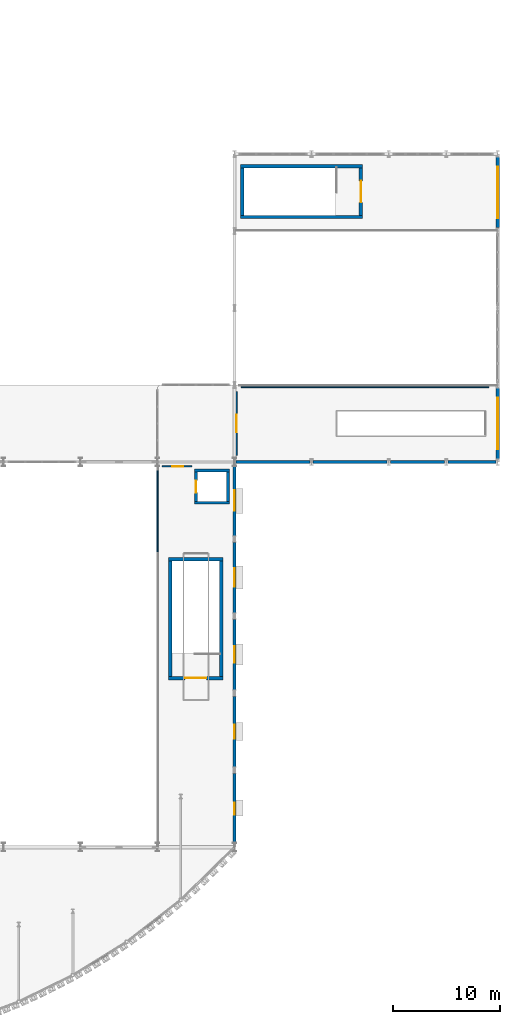
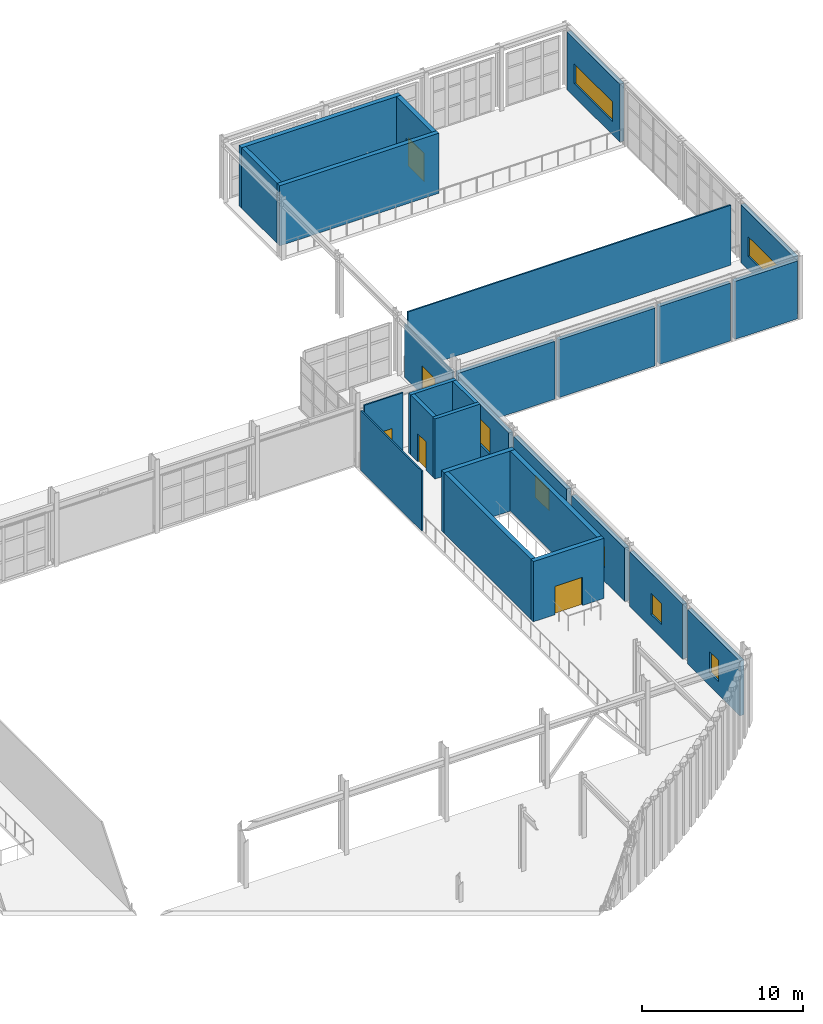
# One storey, part 109 of 126: 27 walls, 7 windows, 5 doors, 12 openings.
"""IFC4 building model written with IfcOpenShell, lengths in metres."""

import ifcopenshell
import ifcopenshell.guid

model = None  # the IFC model being written
_history = None  # IfcOwnerHistory: only IFC2X3 demands one
_inside = {}  # id of a spatial element -> (the spatial element, [elements in it])
_under = {}  # id of a project, library or spatial element -> (it, [spatial elements below it])
_declared = {}  # id of a project -> (the project, [libraries it declares])
_typed = {}  # id of a type object -> (the type object, [elements of that type])
_made_of = {}  # id of a material, layer set ... -> (it, [elements and type objects made of it])


def new_model(schema):
    """Start an empty IFC model of exactly this schema.

    Asked for "IFC4X3", IfcOpenShell would pick the latest addendum, in which some entities
    have other attributes; the version numbers below select the first issue.
    IFC2X3 requires an IfcOwnerHistory on every rooted entity: one is made here for all.
    """
    global model, _history
    if schema == "IFC4X3":
        model = ifcopenshell.file(schema_version=(4, 3, 0, 0))
    else:
        model = ifcopenshell.file(schema=schema)
    _inside.clear()
    _under.clear()
    _declared.clear()
    _typed.clear()
    _made_of.clear()
    _history = None
    if model.schema == "IFC2X3":
        org = make("IfcOrganization", Name="unknown")
        user = make(
            "IfcPersonAndOrganization",
            ThePerson=make("IfcPerson", FamilyName="unknown"),
            TheOrganization=org,
        )
        app = make(
            "IfcApplication",
            ApplicationDeveloper=org,
            Version="unknown",
            ApplicationFullName="unknown",
            ApplicationIdentifier="unknown",
        )
        _history = make(
            "IfcOwnerHistory",
            OwningUser=user,
            OwningApplication=app,
            ChangeAction="ADDED",
            CreationDate=0,
        )
    return model


def make(cls, **values):
    """One entity of the class cls with the attributes given. An attribute that is None is left unset."""
    return model.create_entity(
        cls, **{name: value for name, value in values.items() if value is not None}
    )


def rooted(cls, **values):
    """An entity with a GlobalId (a new one), such as an element, a storey or a relation."""
    return make(cls, GlobalId=ifcopenshell.guid.new(), OwnerHistory=_history, **values)


def si_unit(unit_type, name, prefix=None):
    """IfcSIUnit, for example si_unit("LENGTHUNIT", "METRE", prefix="MILLI")."""
    return make("IfcSIUnit", UnitType=unit_type, Prefix=prefix, Name=name)


def assignment(units):
    """IfcUnitAssignment: the units of a project."""
    return None if units is None else make("IfcUnitAssignment", Units=units)


def point(xyz):
    """IfcCartesianPoint."""
    return None if xyz is None else make("IfcCartesianPoint", Coordinates=xyz)


def direction(xyz):
    """IfcDirection."""
    return None if xyz is None else make("IfcDirection", DirectionRatios=xyz)


def frame(location, z_axis=None, x_axis=None):
    """IfcAxis2Placement3D, a coordinate frame: its origin and axes. An axis left out is left unset."""
    return make(
        "IfcAxis2Placement3D",
        Location=point(location),
        Axis=direction(z_axis),
        RefDirection=direction(x_axis),
    )


def frame_2d(location, x_axis=None):
    """IfcAxis2Placement2D, a coordinate frame in the plane: its origin and x axis."""
    return make(
        "IfcAxis2Placement2D", Location=point(location), RefDirection=direction(x_axis)
    )


def origin():
    """The frame at (0, 0, 0) with its axes left unset."""
    return frame((0.0, 0.0, 0.0))


def place(relative_to, where):
    """IfcLocalPlacement: puts the frame where relative to a parent placement (None: the world)."""
    return make(
        "IfcLocalPlacement", PlacementRelTo=relative_to, RelativePlacement=where
    )


def context(
    kind, dimensions, precision=None, world=None, true_north=None, identifier=None
):
    """IfcGeometricRepresentationContext, for example the 3D "Model" context."""
    return make(
        "IfcGeometricRepresentationContext",
        ContextIdentifier=identifier,
        ContextType=kind,
        CoordinateSpaceDimension=dimensions,
        Precision=precision,
        WorldCoordinateSystem=world,
        TrueNorth=true_north,
    )


def subcontext(parent, identifier, kind, view, scale=None):
    """IfcGeometricRepresentationSubContext, for example "Body" below "Model"."""
    return make(
        "IfcGeometricRepresentationSubContext",
        ContextIdentifier=identifier,
        ContextType=kind,
        ParentContext=parent,
        TargetScale=scale,
        TargetView=view,
    )


def project(units=None, contexts=None):
    """IfcProject with its units and contexts."""
    return rooted(
        "IfcProject",
        Name="project",
        RepresentationContexts=contexts,
        UnitsInContext=assignment(units),
    )


def spatial(cls, under=None, at=None, **own):
    """A site, building, storey or space (cls), placed at a placement, below another one or the project."""
    s = rooted(cls, ObjectPlacement=at, **own)
    if under is not None:
        _under.setdefault(under.id(), (under, []))[1].append(s)
    return s


def profile(cls, at=None, kind="AREA", **sizes):
    """A parametric profile (cls). Its sizes go by their IFC names, for example OverallWidth=200.0."""
    return make(cls, ProfileType=kind, Position=at, **sizes)


def rectangle(**sizes):
    """IfcRectangleProfileDef."""
    return profile("IfcRectangleProfileDef", **sizes)


def extrude(swept, where, along, depth):
    """IfcExtrudedAreaSolid: the profile swept, set in the frame where, extruded along a direction by depth."""
    return make(
        "IfcExtrudedAreaSolid",
        SweptArea=swept,
        Position=where,
        ExtrudedDirection=direction(along),
        Depth=depth,
    )


def shape(context_of_items, identifier, shape_type, items):
    """IfcShapeRepresentation: the items that make up one representation, for example the "Body"."""
    return make(
        "IfcShapeRepresentation",
        ContextOfItems=context_of_items,
        RepresentationIdentifier=identifier,
        RepresentationType=shape_type,
        Items=items,
    )


def material(Name=None, Category=None):
    """IfcMaterial."""
    return make("IfcMaterial", Name=Name, Category=Category)


def layer(
    of_material, thickness, ventilated=None, Name=None, Category=None, Priority=None
):
    """IfcMaterialLayer: one layer of a wall or slab, of a material (None: an air gap)."""
    return make(
        "IfcMaterialLayer",
        Material=of_material,
        LayerThickness=thickness,
        IsVentilated=ventilated,
        Name=Name,
        Category=Category,
        Priority=Priority,
    )


def layer_set(layers, Name=None):
    """IfcMaterialLayerSet."""
    return make("IfcMaterialLayerSet", MaterialLayers=layers, LayerSetName=Name)


def made_of(thing, what):
    """Note that an element or type object is made of a material, layer set ...; save() writes the relation."""
    if what is not None:
        _made_of.setdefault(what.id(), (what, []))[1].append(thing)
    return thing


def type_object(cls, material=None, **own):
    """A type object (cls), such as IfcWallType, which elements share."""
    return made_of(rooted(cls, **own), material)


def element(
    cls,
    number,
    at=None,
    inside=None,
    cuts=None,
    type_object=None,
    material=None,
    context=None,
    identifier="Body",
    shape_type=None,
    held_by="IfcProductDefinitionShape",
    body=None,
    shapes=None,
    **own,
):
    """One element of the class cls, such as IfcWall. Its Tag is "e" and its number.

    at: its placement. inside: the storey or other place that contains it. cuts: it is an
    opening in that element (IfcRelVoidsElement). A single representation is given by context,
    identifier, shape_type and body (its items); several are given by shapes. held_by: the class
    of the entity that holds the representations. save() writes the other relations.
    """
    e = rooted(cls, Tag="e%d" % number, ObjectPlacement=at, **own)
    if body is not None:
        shapes = [shape(context, identifier, shape_type, body)]
    if shapes is not None:
        e.Representation = make(held_by, Representations=shapes)
    if inside is not None:
        _inside.setdefault(inside.id(), (inside, []))[1].append(e)
    if cuts is not None:
        rooted(
            "IfcRelVoidsElement", RelatingBuildingElement=cuts, RelatedOpeningElement=e
        )
    if type_object is not None:
        _typed.setdefault(type_object.id(), (type_object, []))[1].append(e)
    return made_of(e, material)


def fill(opening, filler):
    """IfcRelFillsElement: the door or window that sits in an opening."""
    return rooted(
        "IfcRelFillsElement",
        RelatingOpeningElement=opening,
        RelatedBuildingElement=filler,
    )


def aggregate(whole, parts):
    """IfcRelAggregates: a whole, such as a stair, and the parts it consists of."""
    return rooted("IfcRelAggregates", RelatingObject=whole, RelatedObjects=parts)


def save(model, path):
    """Write the relations noted so far, then the file.

    IfcRelAggregates (storeys below a building ...), IfcRelContainedInSpatialStructure (elements
    in a storey), IfcRelDefinesByType, IfcRelAssociatesMaterial and IfcRelDeclares: one each for
    every whole, place, type object, material and project.
    """
    for whole, parts in _under.values():
        aggregate(whole, parts)
    for where, things in _inside.values():
        rooted(
            "IfcRelContainedInSpatialStructure",
            RelatedElements=things,
            RelatingStructure=where,
        )
    for kind, things in _typed.values():
        rooted("IfcRelDefinesByType", RelatedObjects=things, RelatingType=kind)
    for what, things in _made_of.values():
        rooted("IfcRelAssociatesMaterial", RelatedObjects=things, RelatingMaterial=what)
    for by, libraries in _declared.values():
        rooted("IfcRelDeclares", RelatingContext=by, RelatedDefinitions=libraries)
    model.write(path)


model = new_model("IFC4")

# Units and contexts
model_context = context("Model", 3, precision=1e-05, world=origin(), true_north=direction((0.0, 1.0)))
body_context = subcontext(model_context, "Body", "Model", "MODEL_VIEW")
ifc_project = project(units=[si_unit("LENGTHUNIT", "METRE"), si_unit("AREAUNIT", "SQUARE_METRE"), si_unit("VOLUMEUNIT", "CUBIC_METRE"), si_unit("PLANEANGLEUNIT", "RADIAN"), si_unit("MASSUNIT", "GRAM", prefix="KILO")], contexts=[model_context])

# Site, building, storey
site_placement = place(None, origin())
site = spatial("IfcSite", under=ifc_project, at=site_placement, CompositionType="ELEMENT")
building_placement = place(site_placement, origin())
building = spatial("IfcBuilding", under=site, at=building_placement, Name="Solvadek Multi-Sports Hall", CompositionType="ELEMENT")
storey_placement = place(building_placement, frame((0.0, 0.0, 9.60009765625)))
storey = spatial("IfcBuildingStorey", under=building, at=storey_placement, Name="L02", CompositionType="ELEMENT", Elevation=9.60009765625)

# Wall, opening, window
ifc_material_1 = material(Name="Dressed honey-cream limestone ashlar", Category="masonry")
ifc_layer_1 = layer(ifc_material_1, 0.300048828125, Name="Dressed honey-cream limestone ashlar")
ifc_layer_set_1 = layer_set([ifc_layer_1], Name="Dressed honey-cream limestone ashlar")
wall_type_1 = type_object("IfcWallType", Name="ENV-WAL-EXT300", PredefinedType="SOLIDWALL", material=ifc_layer_set_1)
wall_1_placement = place(storey_placement, frame((136.800048828125, 6.404052734375, 0.0), z_axis=(0.0, 0.0, 1.0), x_axis=(0.0, 1.0, 0.0)))
wall_1 = element("IfcWall", 1, at=wall_1_placement, inside=storey, type_object=wall_type_1, Name="L02 Exterior Masonry Wall #232", PredefinedType="SOLIDWALL", context=body_context, shape_type="SweptSolid", body=[
    extrude(rectangle(XDim=6.491943359375, YDim=0.300048828125, at=frame_2d((3.24609375, 0.0))), origin(), (0.0, 0.0, 1.0), 4.14501953125),
])
opening_1_placement = place(wall_1_placement, frame((2.64599609375, 0.0, 1.0)))
opening_1 = element("IfcOpeningElement", 2, at=opening_1_placement, cuts=wall_1, Name="Opening WN-25", PredefinedType="OPENING", context=body_context, shape_type="SweptSolid", body=[
    extrude(rectangle(XDim=1.10009765625, YDim=1.60009765625, at=frame_2d((0.550048828125, 0.800048828125))), frame((0.0, 0.159912109375, 0.0), z_axis=(0.0, -1.0, 0.0), x_axis=(1.0, 0.0, 0.0)), (0.0, 0.0, 1.0), 0.320068359375),
])
ifc_material_2 = material(Name="Tempered laminated low-E glass", Category="glass")
window_type_1 = type_object("IfcWindowType", Name="ENV-WIN-WN-25", PartitioningType="SINGLE_PANEL", PredefinedType="WINDOW", material=ifc_material_2)
window_1_placement = place(opening_1_placement, origin())
window_1 = element("IfcWindow", 3, at=window_1_placement, inside=storey, type_object=window_type_1, Name="L02 Facade Window WN-25 #90", OverallHeight=1.60009765625, OverallWidth=1.10009765625, PartitioningType="SINGLE_PANEL", PredefinedType="WINDOW", context=body_context, shape_type="SweptSolid", body=[
    extrude(rectangle(XDim=1.10009765625, YDim=1.60009765625, at=frame_2d((0.550048828125, 0.800048828125))), frame((0.0, 0.030029296875, 0.0), z_axis=(0.0, -1.0, 0.0), x_axis=(1.0, 0.0, 0.0)), (0.0, 0.0, 1.0), 0.06005859375),
])
fill(opening_1, window_1)

wall_2_placement = place(storey_placement, frame((136.800048828125, 13.50390625, 0.0), z_axis=(0.0, 0.0, 1.0), x_axis=(0.0, 1.0, 0.0)))
wall_2 = element("IfcWall", 4, at=wall_2_placement, inside=storey, type_object=wall_type_1, Name="L02 Exterior Masonry Wall #235", PredefinedType="SOLIDWALL", context=body_context, shape_type="SweptSolid", body=[
    extrude(rectangle(XDim=6.592041015625, YDim=0.300048828125, at=frame_2d((3.2958984375, 0.0))), origin(), (0.0, 0.0, 1.0), 4.14501953125),
])
opening_2_placement = place(wall_2_placement, frame((2.64599609375, 0.0, 1.0)))
opening_2 = element("IfcOpeningElement", 5, at=opening_2_placement, cuts=wall_2, Name="Opening WN-26", PredefinedType="OPENING", context=body_context, shape_type="SweptSolid", body=[
    extrude(rectangle(XDim=1.300048828125, YDim=1.60009765625, at=frame_2d((0.64990234375, 0.800048828125))), frame((0.0, 0.159912109375, 0.0), z_axis=(0.0, -1.0, 0.0), x_axis=(1.0, 0.0, 0.0)), (0.0, 0.0, 1.0), 0.320068359375),
])
window_type_2 = type_object("IfcWindowType", Name="ENV-WIN-WN-26", PartitioningType="SINGLE_PANEL", PredefinedType="WINDOW", material=ifc_material_2)
window_2_placement = place(opening_2_placement, origin())
window_2 = element("IfcWindow", 6, at=window_2_placement, inside=storey, type_object=window_type_2, Name="L02 Facade Window WN-26 #93", OverallHeight=1.60009765625, OverallWidth=1.300048828125, PartitioningType="SINGLE_PANEL", PredefinedType="WINDOW", context=body_context, shape_type="SweptSolid", body=[
    extrude(rectangle(XDim=1.300048828125, YDim=1.60009765625, at=frame_2d((0.64990234375, 0.800048828125))), frame((0.0, 0.030029296875, 0.0), z_axis=(0.0, -1.0, 0.0), x_axis=(1.0, 0.0, 0.0)), (0.0, 0.0, 1.0), 0.06005859375),
])
fill(opening_2, window_2)

wall_3_placement = place(storey_placement, frame((136.800048828125, 20.7041015625, 0.0), z_axis=(0.0, 0.0, 1.0), x_axis=(0.0, 1.0, 0.0)))
wall_3 = element("IfcWall", 7, at=wall_3_placement, inside=storey, type_object=wall_type_1, Name="L02 Exterior Masonry Wall #238", PredefinedType="SOLIDWALL", context=body_context, shape_type="SweptSolid", body=[
    extrude(rectangle(XDim=6.591796875, YDim=0.300048828125, at=frame_2d((3.2958984375, 0.0))), origin(), (0.0, 0.0, 1.0), 4.044921875),
])
opening_3_placement = place(wall_3_placement, frame((2.52099609375, 0.0, 1.0)))
opening_3 = element("IfcOpeningElement", 8, at=opening_3_placement, cuts=wall_3, Name="Opening WN-27", PredefinedType="OPENING", context=body_context, shape_type="SweptSolid", body=[
    extrude(rectangle(XDim=1.550048828125, YDim=1.64990234375, at=frame_2d((0.77490234375, 0.824951171875))), frame((0.0, 0.159912109375, 0.0), z_axis=(0.0, -1.0, 0.0), x_axis=(1.0, 0.0, 0.0)), (0.0, 0.0, 1.0), 0.320068359375),
])
window_type_3 = type_object("IfcWindowType", Name="ENV-WIN-WN-27", PartitioningType="SINGLE_PANEL", PredefinedType="WINDOW", material=ifc_material_2)
window_3_placement = place(opening_3_placement, origin())
window_3 = element("IfcWindow", 9, at=window_3_placement, inside=storey, type_object=window_type_3, Name="L02 Facade Window WN-27 #95", OverallHeight=1.64990234375, OverallWidth=1.550048828125, PartitioningType="SINGLE_PANEL", PredefinedType="WINDOW", context=body_context, shape_type="SweptSolid", body=[
    extrude(rectangle(XDim=1.550048828125, YDim=1.64990234375, at=frame_2d((0.77490234375, 0.824951171875))), frame((0.0, 0.030029296875, 0.0), z_axis=(0.0, -1.0, 0.0), x_axis=(1.0, 0.0, 0.0)), (0.0, 0.0, 1.0), 0.06005859375),
])
fill(opening_3, window_3)

wall_4_placement = place(storey_placement, frame((136.800048828125, 27.904052734375, 0.0), z_axis=(0.0, 0.0, 1.0), x_axis=(0.0, 1.0, 0.0)))
wall_4 = element("IfcWall", 10, at=wall_4_placement, inside=storey, type_object=wall_type_1, Name="L02 Exterior Masonry Wall #241", PredefinedType="SOLIDWALL", context=body_context, shape_type="SweptSolid", body=[
    extrude(rectangle(XDim=6.592041015625, YDim=0.300048828125, at=frame_2d((3.2958984375, 0.0))), origin(), (0.0, 0.0, 1.0), 4.14501953125),
])
opening_4_placement = place(wall_4_placement, frame((2.4208984375, 0.0, 1.0)))
opening_4 = element("IfcOpeningElement", 11, at=opening_4_placement, cuts=wall_4, Name="Opening WN-28", PredefinedType="OPENING", context=body_context, shape_type="SweptSolid", body=[
    extrude(rectangle(XDim=1.75, YDim=1.64990234375, at=frame_2d((0.875, 0.824951171875))), frame((0.0, 0.159912109375, 0.0), z_axis=(0.0, -1.0, 0.0), x_axis=(1.0, 0.0, 0.0)), (0.0, 0.0, 1.0), 0.320068359375),
])
window_type_4 = type_object("IfcWindowType", Name="ENV-WIN-WN-28", PartitioningType="SINGLE_PANEL", PredefinedType="WINDOW", material=ifc_material_2)
window_4_placement = place(opening_4_placement, origin())
window_4 = element("IfcWindow", 12, at=window_4_placement, inside=storey, type_object=window_type_4, Name="L02 Facade Window WN-28 #97", OverallHeight=1.64990234375, OverallWidth=1.75, PartitioningType="SINGLE_PANEL", PredefinedType="WINDOW", context=body_context, shape_type="SweptSolid", body=[
    extrude(rectangle(XDim=1.75, YDim=1.64990234375, at=frame_2d((0.875, 0.824951171875))), frame((0.0, 0.030029296875, 0.0), z_axis=(0.0, -1.0, 0.0), x_axis=(1.0, 0.0, 0.0)), (0.0, 0.0, 1.0), 0.06005859375),
])
fill(opening_4, window_4)

wall_5_placement = place(storey_placement, frame((136.800048828125, 35.10400390625, 0.0), z_axis=(0.0, 0.0, 1.0), x_axis=(0.0, 1.0, 0.0)))
wall_5 = element("IfcWall", 13, at=wall_5_placement, inside=storey, type_object=wall_type_1, Name="L02 Exterior Masonry Wall #244", PredefinedType="SOLIDWALL", context=body_context, shape_type="SweptSolid", body=[
    extrude(rectangle(XDim=6.491943359375, YDim=0.300048828125, at=frame_2d((3.24609375, 0.0))), origin(), (0.0, 0.0, 1.0), 4.044921875),
])
opening_5_placement = place(wall_5_placement, frame((2.321044921875, 0.0, 1.0)))
opening_5 = element("IfcOpeningElement", 14, at=opening_5_placement, cuts=wall_5, Name="Opening WN-29", PredefinedType="OPENING", context=body_context, shape_type="SweptSolid", body=[
    extrude(rectangle(XDim=1.949951171875, YDim=1.949951171875, at=frame_2d((0.97509765625, 0.97509765625))), frame((0.0, 0.159912109375, 0.0), z_axis=(0.0, -1.0, 0.0), x_axis=(1.0, 0.0, 0.0)), (0.0, 0.0, 1.0), 0.320068359375),
])
window_type_5 = type_object("IfcWindowType", Name="ENV-WIN-WN-29", PartitioningType="SINGLE_PANEL", PredefinedType="WINDOW", material=ifc_material_2)
window_5_placement = place(opening_5_placement, origin())
window_5 = element("IfcWindow", 15, at=window_5_placement, inside=storey, type_object=window_type_5, Name="L02 Facade Window WN-29 #100", OverallHeight=1.949951171875, OverallWidth=1.949951171875, PartitioningType="SINGLE_PANEL", PredefinedType="WINDOW", context=body_context, shape_type="SweptSolid", body=[
    extrude(rectangle(XDim=1.949951171875, YDim=1.949951171875, at=frame_2d((0.97509765625, 0.97509765625))), frame((0.0, 0.030029296875, 0.0), z_axis=(0.0, -1.0, 0.0), x_axis=(1.0, 0.0, 0.0)), (0.0, 0.0, 1.0), 0.06005859375),
])
fill(opening_5, window_5)

# Walls
for number, where, z_axis, x_axis, name in (
    (16, (136.9541015625, 42.0, 0.0), (0.0, 0.0, 1.0), (1.0, 0.0, 0.0), "L02 Exterior Masonry Wall #262"),
    (17, (144.154052734375, 42.0, 0.0), (0.0, 0.0, 1.0), (1.0, 0.0, 0.0), "L02 Exterior Masonry Wall #266"),
):
    element("IfcWall", number, at=place(storey_placement, frame(where, z_axis=z_axis, x_axis=x_axis)), inside=storey, type_object=wall_type_1, Name=name, PredefinedType="SOLIDWALL", context=body_context, shape_type="SweptSolid", body=[
        extrude(rectangle(XDim=6.891845703125, YDim=0.300048828125, at=frame_2d((3.44580078125, 0.0))), origin(), (0.0, 0.0, 1.0), 4.385009765625),
    ])
wall_6_placement = place(storey_placement, frame((151.35400390625, 42.0, 0.0), z_axis=(0.0, 0.0, 1.0), x_axis=(1.0, 0.0, 0.0)))
element("IfcWall", 18, at=wall_6_placement, inside=storey, type_object=wall_type_1, Name="L02 Exterior Masonry Wall #271", PredefinedType="SOLIDWALL", context=body_context, shape_type="SweptSolid", body=[
    extrude(rectangle(XDim=5.092041015625, YDim=0.300048828125, at=frame_2d((2.5458984375, 0.0))), origin(), (0.0, 0.0, 1.0), 4.385009765625),
])
wall_7_placement = place(storey_placement, frame((156.75390625, 42.0, 0.0), z_axis=(0.0, 0.0, 1.0), x_axis=(1.0, 0.0, 0.0)))
element("IfcWall", 19, at=wall_7_placement, inside=storey, type_object=wall_type_1, Name="L02 Exterior Masonry Wall #275", PredefinedType="SOLIDWALL", context=body_context, shape_type="SweptSolid", body=[
    extrude(rectangle(XDim=4.4921875, YDim=0.300048828125, at=frame_2d((2.24609375, 0.0))), origin(), (0.0, 0.0, 1.0), 4.385009765625),
])

# Wall, opening, window
wall_8_placement = place(storey_placement, frame((161.39990234375, 42.303955078125, 0.0), z_axis=(0.0, 0.0, 1.0), x_axis=(0.0, 1.0, 0.0)))
wall_8 = element("IfcWall", 20, at=wall_8_placement, inside=storey, type_object=wall_type_1, Name="L02 Exterior Masonry Wall #279", PredefinedType="SOLIDWALL", context=body_context, shape_type="SweptSolid", body=[
    extrude(rectangle(XDim=6.592041015625, YDim=0.300048828125, at=frame_2d((3.2958984375, 0.0))), origin(), (0.0, 0.0, 1.0), 4.385009765625),
])
opening_6_placement = place(wall_8_placement, frame((0.89599609375, 0.0, 1.0)))
opening_6 = element("IfcOpeningElement", 21, at=opening_6_placement, cuts=wall_8, Name="Opening WN-23", PredefinedType="OPENING", context=body_context, shape_type="SweptSolid", body=[
    extrude(rectangle(XDim=4.800048828125, YDim=1.5, at=frame_2d((2.39990234375, 0.75))), frame((0.0, 0.159912109375, 0.0), z_axis=(0.0, -1.0, 0.0), x_axis=(1.0, 0.0, 0.0)), (0.0, 0.0, 1.0), 0.320068359375),
])
window_type_6 = type_object("IfcWindowType", Name="ENV-WIN-WN-23", PartitioningType="SINGLE_PANEL", PredefinedType="WINDOW", material=ifc_material_2)
window_6_placement = place(opening_6_placement, origin())
window_6 = element("IfcWindow", 22, at=window_6_placement, inside=storey, type_object=window_type_6, Name="L02 Facade Window WN-23 #120", OverallHeight=1.5, OverallWidth=4.800048828125, PartitioningType="SINGLE_PANEL", PredefinedType="WINDOW", context=body_context, shape_type="SweptSolid", body=[
    extrude(rectangle(XDim=4.800048828125, YDim=1.5, at=frame_2d((2.39990234375, 0.75))), frame((0.0, 0.030029296875, 0.0), z_axis=(0.0, -1.0, 0.0), x_axis=(1.0, 0.0, 0.0)), (0.0, 0.0, 1.0), 0.06005859375),
])
fill(opening_6, window_6)

wall_9_placement = place(storey_placement, frame((161.39990234375, 63.904052734375, 0.0), z_axis=(0.0, 0.0, 1.0), x_axis=(0.0, 1.0, 0.0)))
wall_9 = element("IfcWall", 23, at=wall_9_placement, inside=storey, type_object=wall_type_1, Name="L02 Exterior Masonry Wall #283", PredefinedType="SOLIDWALL", context=body_context, shape_type="SweptSolid", body=[
    extrude(rectangle(XDim=6.592041015625, YDim=0.300048828125, at=frame_2d((3.2958984375, 0.0))), origin(), (0.0, 0.0, 1.0), 4.385009765625),
])
opening_7_placement = place(wall_9_placement, frame((0.89599609375, 0.0, 1.0)))
opening_7 = element("IfcOpeningElement", 24, at=opening_7_placement, cuts=wall_9, Name="Opening WN-23", PredefinedType="OPENING", context=body_context, shape_type="SweptSolid", body=[
    extrude(rectangle(XDim=4.800048828125, YDim=1.5, at=frame_2d((2.39990234375, 0.75))), frame((0.0, 0.159912109375, 0.0), z_axis=(0.0, -1.0, 0.0), x_axis=(1.0, 0.0, 0.0)), (0.0, 0.0, 1.0), 0.320068359375),
])
window_7_placement = place(opening_7_placement, origin())
window_7 = element("IfcWindow", 25, at=window_7_placement, inside=storey, type_object=window_type_6, Name="L02 Facade Window WN-23 #124", OverallHeight=1.5, OverallWidth=4.800048828125, PartitioningType="SINGLE_PANEL", PredefinedType="WINDOW", context=body_context, shape_type="SweptSolid", body=[
    extrude(rectangle(XDim=4.800048828125, YDim=1.5, at=frame_2d((2.39990234375, 0.75))), frame((0.0, 0.030029296875, 0.0), z_axis=(0.0, -1.0, 0.0), x_axis=(1.0, 0.0, 0.0)), (0.0, 0.0, 1.0), 0.06005859375),
])
fill(opening_7, window_7)

# Wall, opening, door
ifc_material_3 = material(Name="Autoclaved aerated concrete blockwork", Category="masonry")
ifc_layer_2 = layer(ifc_material_3, 0.10498046875, Name="Autoclaved aerated concrete blockwork")
ifc_layer_set_2 = layer_set([ifc_layer_2], Name="Autoclaved aerated concrete blockwork")
wall_type_2 = type_object("IfcWallType", Name="INT-WAL-PRT105", PredefinedType="PARTITIONING", material=ifc_layer_set_2)
wall_10_placement = place(storey_placement, frame((130.02001953125, 41.60009765625, 0.0), z_axis=(0.0, 0.0, 1.0), x_axis=(1.0, 0.0, 0.0)))
wall_10 = element("IfcWall", 26, at=wall_10_placement, inside=storey, type_object=wall_type_2, Name="L02 Partition Wall L02-15 N", PredefinedType="PARTITIONING", context=body_context, shape_type="SweptSolid", body=[
    extrude(rectangle(XDim=2.78466796875, YDim=0.10498046875, at=frame_2d((1.392333984375, 0.0))), origin(), (0.0, 0.0, 1.0), 4.544921875),
])
opening_8_placement = place(wall_10_placement, frame((0.97998046875, 0.0, 0.0)))
opening_8 = element("IfcOpeningElement", 27, at=opening_8_placement, cuts=wall_10, Name="Opening D-01", PredefinedType="OPENING", context=body_context, shape_type="SweptSolid", body=[
    extrude(rectangle(XDim=1.0, YDim=2.10009765625, at=frame_2d((0.5, 1.050048828125))), frame((0.0, 0.0625, 0.0), z_axis=(0.0, -1.0, 0.0), x_axis=(1.0, 0.0, 0.0)), (0.0, 0.0, 1.0), 0.125),
])
ifc_material_4 = material(Name="Teak hardwood timber", Category="wood")
door_type_1 = type_object("IfcDoorType", Name="INT-DOR-RM100X210", OperationType="NOTDEFINED", PredefinedType="DOOR", material=ifc_material_4)
door_1_placement = place(opening_8_placement, frame((1.0, 0.0, 0.0), z_axis=(0.0, 0.0, 1.0), x_axis=(-1.0, 0.0, 0.0)))
door_1 = element("IfcDoor", 28, at=door_1_placement, inside=storey, type_object=door_type_1, Name="L02 L02-15 Door #16", OperationType="SINGLE_SWING_LEFT", OverallHeight=2.10009765625, OverallWidth=1.0, PredefinedType="DOOR", context=body_context, shape_type="SweptSolid", body=[
    extrude(rectangle(XDim=1.0, YDim=2.10009765625, at=frame_2d((0.5, 1.050048828125))), frame((0.0, 0.02490234375, 0.0), z_axis=(0.0, -1.0, 0.0), x_axis=(1.0, 0.0, 0.0)), (0.0, 0.0, 1.0), 0.050048828125),
])
fill(opening_8, door_1)

# Walls
wall_11_placement = place(storey_placement, frame((129.60009765625, 33.6201171875, 0.0), z_axis=(0.0, 0.0, 1.0), x_axis=(0.0, 1.0, 0.0)))
element("IfcWall", 29, at=wall_11_placement, inside=storey, type_object=wall_type_2, Name="L02 Partition Wall L02-15 W", PredefinedType="PARTITIONING", context=body_context, shape_type="SweptSolid", body=[
    extrude(rectangle(XDim=7.559814453125, YDim=0.10498046875, at=frame_2d((3.77978515625, 0.0))), origin(), (0.0, 0.0, 1.0), 4.544921875),
])
wall_12_placement = place(storey_placement, frame((137.419921875, 49.0, 0.0), z_axis=(0.0, 0.0, 1.0), x_axis=(1.0, 0.0, 0.0)))
element("IfcWall", 30, at=wall_12_placement, inside=storey, type_object=wall_type_2, Name="L02 Partition Wall L02-16 N", PredefinedType="PARTITIONING", context=body_context, shape_type="SweptSolid", body=[
    extrude(rectangle(XDim=23.16015625, YDim=0.10498046875, at=frame_2d((11.580078125, 0.0))), origin(), (0.0, 0.0, 1.0), 4.544921875),
])

# Wall, opening, door
wall_13_placement = place(storey_placement, frame((137.0, 42.6201171875, 0.0), z_axis=(0.0, 0.0, 1.0), x_axis=(0.0, 1.0, 0.0)))
wall_13 = element("IfcWall", 31, at=wall_13_placement, inside=storey, type_object=wall_type_2, Name="L02 Partition Wall L02-16 W", PredefinedType="PARTITIONING", context=body_context, shape_type="SweptSolid", body=[
    extrude(rectangle(XDim=5.9599609375, YDim=0.10498046875, at=frame_2d((2.97998046875, 0.0))), origin(), (0.0, 0.0, 1.0), 4.039794921875),
])
opening_9_placement = place(wall_13_placement, frame((2.179931640625, 0.0, 0.0)))
opening_9 = element("IfcOpeningElement", 32, at=opening_9_placement, cuts=wall_13, Name="Opening D-04", PredefinedType="OPENING", context=body_context, shape_type="SweptSolid", body=[
    extrude(rectangle(XDim=1.60009765625, YDim=2.199951171875, at=frame_2d((0.800048828125, 1.10009765625))), frame((0.0, 0.0625, 0.0), z_axis=(0.0, -1.0, 0.0), x_axis=(1.0, 0.0, 0.0)), (0.0, 0.0, 1.0), 0.125),
])
door_type_2 = type_object("IfcDoorType", Name="INT-DOR-STR160X220", OperationType="DOUBLE_DOOR_SINGLE_SWING", PredefinedType="DOOR", material=ifc_material_4)
door_2_placement = place(opening_9_placement, frame((1.60009765625, 0.0, 0.0), z_axis=(0.0, 0.0, 1.0), x_axis=(-1.0, 0.0, 0.0)))
door_2 = element("IfcDoor", 33, at=door_2_placement, inside=storey, type_object=door_type_2, Name="L02 L02-16 Door #17", OperationType="DOUBLE_DOOR_SINGLE_SWING", OverallHeight=2.199951171875, OverallWidth=1.60009765625, PredefinedType="DOOR", context=body_context, shape_type="SweptSolid", body=[
    extrude(rectangle(XDim=1.60009765625, YDim=2.199951171875, at=frame_2d((0.800048828125, 1.10009765625))), frame((0.0, 0.02490234375, 0.0), z_axis=(0.0, -1.0, 0.0), x_axis=(1.0, 0.0, 0.0)), (0.0, 0.0, 1.0), 0.050048828125),
])
fill(opening_9, door_2)

# Walls
ifc_material_5 = material(Name="Concrete M40", Category="concrete")
ifc_layer_3 = layer(ifc_material_5, 0.260009765625, Name="Concrete M40")
ifc_layer_set_3 = layer_set([ifc_layer_3], Name="Concrete M40")
wall_type_3 = type_object("IfcWallType", Name="INT-WAL-SHR260", PredefinedType="SHEAR", material=ifc_layer_set_3)
for number, where, z_axis, x_axis, name in (
    (34, (133.070068359375, 38.199951171875, 0.0), (0.0, 0.0, 1.0), (1.0, 0.0, 0.0), "Lift LP-03 Shaft Shear Wall L02 south"),
    (35, (133.070068359375, 41.199951171875, 0.0), (0.0, 0.0, 1.0), (1.0, 0.0, 0.0), "Lift LP-03 Shaft Shear Wall L02 north"),
):
    element("IfcWall", number, at=place(storey_placement, frame(where, z_axis=z_axis, x_axis=x_axis)), inside=storey, type_object=wall_type_3, Name=name, PredefinedType="SHEAR", context=body_context, shape_type="SweptSolid", body=[
        extrude(rectangle(XDim=3.260009765625, YDim=0.260009765625, at=frame_2d((1.6298828125, 0.0))), origin(), (0.0, 0.0, 1.0), 4.559814453125),
    ])

# Wall, opening, door
wall_14_placement = place(storey_placement, frame((133.199951171875, 38.330078125, 0.0), z_axis=(0.0, 0.0, 1.0), x_axis=(0.0, 1.0, 0.0)))
wall_14 = element("IfcWall", 36, at=wall_14_placement, inside=storey, type_object=wall_type_3, Name="Lift LP-03 Shaft Shear Wall L02 west", PredefinedType="SHEAR", context=body_context, shape_type="SweptSolid", body=[
    extrude(rectangle(XDim=2.739990234375, YDim=0.260009765625, at=frame_2d((1.3701171875, 0.0))), origin(), (0.0, 0.0, 1.0), 4.559814453125),
])
opening_10_placement = place(wall_14_placement, frame((0.820068359375, 0.0, 0.0)))
opening_10 = element("IfcOpeningElement", 37, at=opening_10_placement, cuts=wall_14, Name="Opening LD-23", PredefinedType="OPENING", context=body_context, shape_type="SweptSolid", body=[
    extrude(rectangle(XDim=1.10009765625, YDim=2.14990234375, at=frame_2d((0.550048828125, 1.074951171875))), frame((0.0, 0.139892578125, 0.0), z_axis=(0.0, -1.0, 0.0), x_axis=(1.0, 0.0, 0.0)), (0.0, 0.0, 1.0), 0.280029296875),
])
ifc_material_6 = material(Name="Anodised aluminium", Category="aluminium")
door_type_3 = type_object("IfcDoorType", Name="INT-DOR-LD110X215", OperationType="DOUBLE_DOOR_SLIDING", PredefinedType="DOOR", material=ifc_material_6)
door_3_placement = place(opening_10_placement, origin())
door_3 = element("IfcDoor", 38, at=door_3_placement, inside=storey, type_object=door_type_3, Name="L02 Lift LP-03 Sliding Landing Door LD-23", OperationType="DOUBLE_DOOR_SLIDING", OverallHeight=2.14990234375, OverallWidth=1.10009765625, PredefinedType="DOOR", context=body_context, shape_type="SweptSolid", body=[
    extrude(rectangle(XDim=1.10009765625, YDim=2.14990234375, at=frame_2d((0.550048828125, 1.074951171875))), frame((0.0, 0.02490234375, 0.0), z_axis=(0.0, -1.0, 0.0), x_axis=(1.0, 0.0, 0.0)), (0.0, 0.0, 1.0), 0.050048828125),
])
fill(opening_10, door_3)

# Wall
wall_15_placement = place(storey_placement, frame((136.199951171875, 38.330078125, 0.0), z_axis=(0.0, 0.0, 1.0), x_axis=(0.0, 1.0, 0.0)))
element("IfcWall", 39, at=wall_15_placement, inside=storey, type_object=wall_type_3, Name="Lift LP-03 Shaft Shear Wall L02 east", PredefinedType="SHEAR", context=body_context, shape_type="SweptSolid", body=[
    extrude(rectangle(XDim=2.739990234375, YDim=0.260009765625, at=frame_2d((1.3701171875, 0.0))), origin(), (0.0, 0.0, 1.0), 4.559814453125),
])

# Wall, opening, door
ifc_layer_4 = layer(ifc_material_5, 0.320068359375, Name="Concrete M40")
ifc_layer_set_4 = layer_set([ifc_layer_4], Name="Concrete M40")
wall_type_4 = type_object("IfcWallType", Name="INT-WAL-SHR320", PredefinedType="SHEAR", material=ifc_layer_set_4)
wall_16_placement = place(storey_placement, frame((130.639892578125, 21.800048828125, 0.0), z_axis=(0.0, 0.0, 1.0), x_axis=(1.0, 0.0, 0.0)))
wall_16 = element("IfcWall", 40, at=wall_16_placement, inside=storey, type_object=wall_type_4, Name="L02 Stair ST-05 Shear Wall S", PredefinedType="SHEAR", context=body_context, shape_type="SweptSolid", body=[
    extrude(rectangle(XDim=5.070068359375, YDim=0.320068359375, at=frame_2d((2.53515625, 0.0))), origin(), (0.0, 0.0, 1.0), 4.559814453125),
])
opening_11_placement = place(wall_16_placement, frame((1.534912109375, 0.0, 0.0)))
opening_11 = element("IfcOpeningElement", 41, at=opening_11_placement, cuts=wall_16, Name="Opening FD120", PredefinedType="OPENING", context=body_context, shape_type="SweptSolid", body=[
    extrude(rectangle(XDim=2.0, YDim=2.14990234375, at=frame_2d((1.0, 1.074951171875))), frame((0.0, 0.169921875, 0.0), z_axis=(0.0, -1.0, 0.0), x_axis=(1.0, 0.0, 0.0)), (0.0, 0.0, 1.0), 0.340087890625),
])
ifc_material_7 = material(Name="Steel E250 (250 MPa)", Category="steel")
door_type_4 = type_object("IfcDoorType", Name="INT-DOR-FD200X215", OperationType="DOUBLE_DOOR_SINGLE_SWING", PredefinedType="DOOR", material=ifc_material_7)
door_4_placement = place(opening_11_placement, origin())
door_4 = element("IfcDoor", 42, at=door_4_placement, inside=storey, type_object=door_type_4, Name="L02 Stair ST-05 Fire Door", OperationType="DOUBLE_DOOR_SINGLE_SWING", OverallHeight=2.14990234375, OverallWidth=2.0, PredefinedType="DOOR", context=body_context, shape_type="SweptSolid", body=[
    extrude(rectangle(XDim=2.0, YDim=2.14990234375, at=frame_2d((1.0, 1.074951171875))), frame((0.0, 0.02490234375, 0.0), z_axis=(0.0, -1.0, 0.0), x_axis=(1.0, 0.0, 0.0)), (0.0, 0.0, 1.0), 0.050048828125),
])
fill(opening_11, door_4)

# Walls
wall_17_placement = place(storey_placement, frame((130.639892578125, 32.89990234375, 0.0), z_axis=(0.0, 0.0, 1.0), x_axis=(1.0, 0.0, 0.0)))
element("IfcWall", 43, at=wall_17_placement, inside=storey, type_object=wall_type_4, Name="L02 Stair ST-05 Shear Wall N", PredefinedType="SHEAR", context=body_context, shape_type="SweptSolid", body=[
    extrude(rectangle(XDim=5.070068359375, YDim=0.320068359375, at=frame_2d((2.53515625, 0.0))), origin(), (0.0, 0.0, 1.0), 4.559814453125),
])
for number, where, z_axis, x_axis, name in (
    (44, (130.800048828125, 21.9599609375, 0.0), (0.0, 0.0, 1.0), (0.0, 1.0, 0.0), "L02 Stair ST-05 Shear Wall W"),
    (45, (135.550048828125, 21.9599609375, 0.0), (0.0, 0.0, 1.0), (0.0, 1.0, 0.0), "L02 Stair ST-05 Shear Wall E"),
):
    element("IfcWall", number, at=place(storey_placement, frame(where, z_axis=z_axis, x_axis=x_axis)), inside=storey, type_object=wall_type_4, Name=name, PredefinedType="SHEAR", context=body_context, shape_type="SweptSolid", body=[
        extrude(rectangle(XDim=10.780029296875, YDim=0.320068359375, at=frame_2d((5.39013671875, 0.0))), origin(), (0.0, 0.0, 1.0), 4.559814453125),
    ])
for number, where, z_axis, x_axis, name in (
    (46, (137.340087890625, 64.89990234375, 0.0), (0.0, 0.0, 1.0), (1.0, 0.0, 0.0), "L02 Stair ST-06 Shear Wall S"),
    (47, (137.340087890625, 69.64990234375, 0.0), (0.0, 0.0, 1.0), (1.0, 0.0, 0.0), "L02 Stair ST-06 Shear Wall N"),
):
    element("IfcWall", number, at=place(storey_placement, frame(where, z_axis=z_axis, x_axis=x_axis)), inside=storey, type_object=wall_type_4, Name=name, PredefinedType="SHEAR", context=body_context, shape_type="SweptSolid", body=[
        extrude(rectangle(XDim=11.419921875, YDim=0.320068359375, at=frame_2d((5.7099609375, 0.0))), origin(), (0.0, 0.0, 1.0), 4.559814453125),
    ])
wall_18_placement = place(storey_placement, frame((137.5, 65.06005859375, 0.0), z_axis=(0.0, 0.0, 1.0), x_axis=(0.0, 1.0, 0.0)))
element("IfcWall", 48, at=wall_18_placement, inside=storey, type_object=wall_type_4, Name="L02 Stair ST-06 Shear Wall W", PredefinedType="SHEAR", context=body_context, shape_type="SweptSolid", body=[
    extrude(rectangle(XDim=4.429931640625, YDim=0.320068359375, at=frame_2d((2.21484375, 0.0))), origin(), (0.0, 0.0, 1.0), 4.559814453125),
])

# Wall, opening, door
wall_19_placement = place(storey_placement, frame((148.60009765625, 65.06005859375, 0.0), z_axis=(0.0, 0.0, 1.0), x_axis=(0.0, 1.0, 0.0)))
wall_19 = element("IfcWall", 49, at=wall_19_placement, inside=storey, type_object=wall_type_4, Name="L02 Stair ST-06 Shear Wall E", PredefinedType="SHEAR", context=body_context, shape_type="SweptSolid", body=[
    extrude(rectangle(XDim=4.429931640625, YDim=0.320068359375, at=frame_2d((2.21484375, 0.0))), origin(), (0.0, 0.0, 1.0), 4.559814453125),
])
opening_12_placement = place(wall_19_placement, frame((1.215087890625, 0.0, 0.0)))
opening_12 = element("IfcOpeningElement", 50, at=opening_12_placement, cuts=wall_19, Name="Opening FD120", PredefinedType="OPENING", context=body_context, shape_type="SweptSolid", body=[
    extrude(rectangle(XDim=2.0, YDim=2.14990234375, at=frame_2d((1.0, 1.074951171875))), frame((0.0, 0.169921875, 0.0), z_axis=(0.0, -1.0, 0.0), x_axis=(1.0, 0.0, 0.0)), (0.0, 0.0, 1.0), 0.340087890625),
])
door_5_placement = place(opening_12_placement, origin())
door_5 = element("IfcDoor", 51, at=door_5_placement, inside=storey, type_object=door_type_4, Name="L02 Stair ST-06 Fire Door", OperationType="DOUBLE_DOOR_SINGLE_SWING", OverallHeight=2.14990234375, OverallWidth=2.0, PredefinedType="DOOR", context=body_context, shape_type="SweptSolid", body=[
    extrude(rectangle(XDim=2.0, YDim=2.14990234375, at=frame_2d((1.0, 1.074951171875))), frame((0.0, 0.02490234375, 0.0), z_axis=(0.0, -1.0, 0.0), x_axis=(1.0, 0.0, 0.0)), (0.0, 0.0, 1.0), 0.050048828125),
])
fill(opening_12, door_5)

save(model, "model.ifc")
